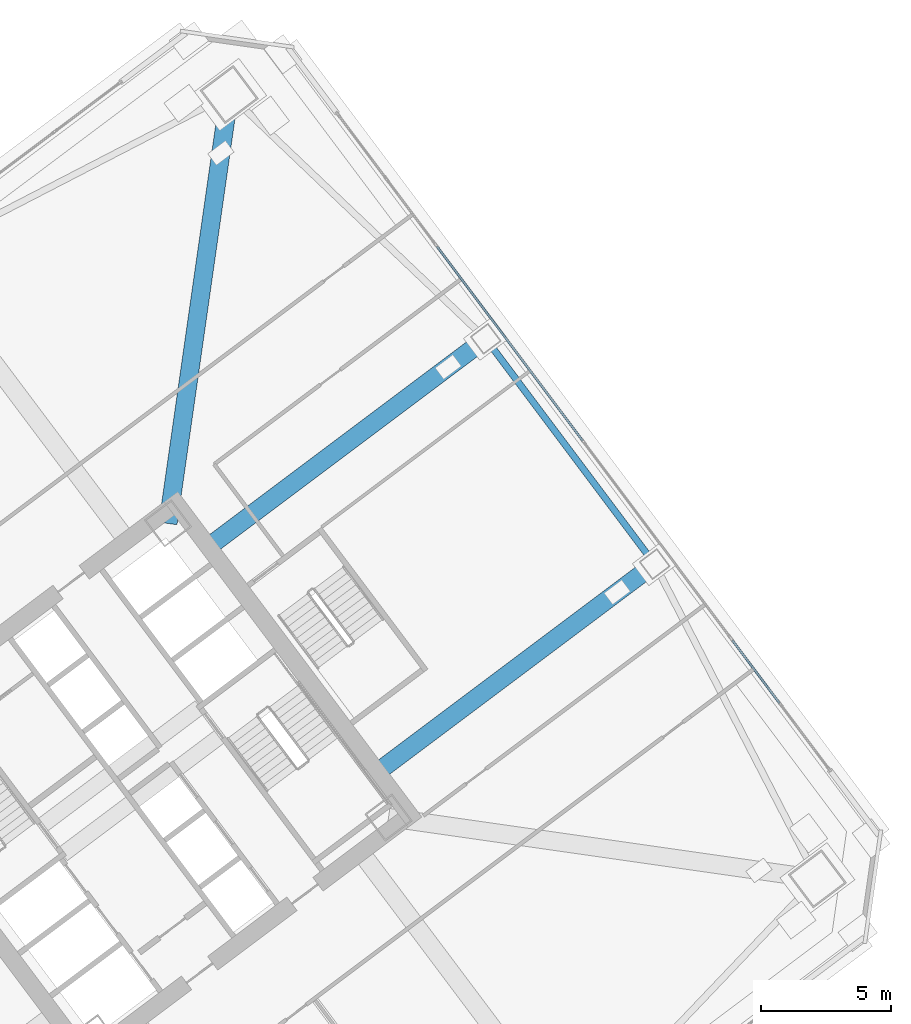
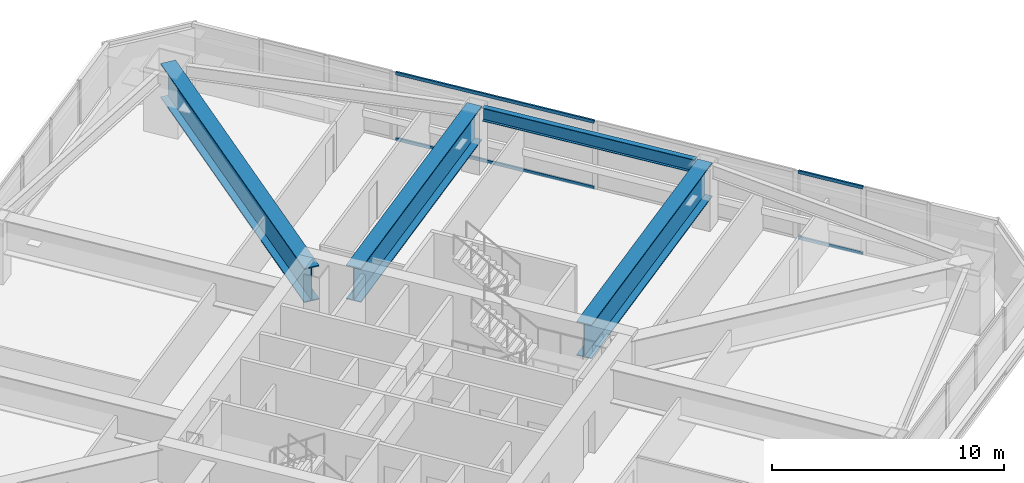
# One storey, part 33 of 48: 4 beams, 4 members, 2 elements without a shape of their own.
"""IFC4 building model written with IfcOpenShell, lengths in metres."""

from ifc_helpers import new_model, si_unit, direction, frame, origin, origin_2d, place, context, subcontext, project, spatial, hollow_rectangle, i_section, extrude, material, material_profile, profile_set, type_object, element, aggregate, save


model = new_model("IFC4")

# Units and contexts
model_context = context("Model", 3, precision=1e-05, world=origin(), true_north=direction((0.0, 1.0)))
body_context = subcontext(model_context, "Body", "Model", "MODEL_VIEW")
ifc_project = project(units=[si_unit("LENGTHUNIT", "METRE"), si_unit("AREAUNIT", "SQUARE_METRE"), si_unit("VOLUMEUNIT", "CUBIC_METRE"), si_unit("PLANEANGLEUNIT", "RADIAN"), si_unit("MASSUNIT", "GRAM", prefix="KILO")], contexts=[model_context])

# Site, building, storey
site_placement = place(None, origin())
site = spatial("IfcSite", under=ifc_project, at=site_placement, CompositionType="ELEMENT")
building_placement = place(site_placement, origin())
building = spatial("IfcBuilding", under=site, at=building_placement, Name="Tashvorn Skyway Center", CompositionType="ELEMENT")
storey_placement = place(building_placement, frame((0.0, 0.0, 63.64990234375)))
storey = spatial("IfcBuildingStorey", under=building, at=storey_placement, Name="L16", CompositionType="ELEMENT", Elevation=63.64990234375)

# Beams
ifc_material_1 = material(Name="Steel ASTM A572 Grade 50", Category="steel")
ifc_material_profile_1 = material_profile(ifc_material_1, i_section(OverallWidth=0.699951171875, OverallDepth=1.800048828125, WebThickness=0.031982421875, FlangeThickness=0.050048828125, at=origin_2d()), Name="PG1800x700")
ifc_profile_set_1 = profile_set([ifc_material_profile_1], Name="Steel ASTM A572 Grade 50")
beam_type_1 = type_object("IfcBeamType", Name="BM-BEAM-PG1800x700", PredefinedType="BEAM", material=ifc_profile_set_1)
beam_1_placement = place(storey_placement, frame((117.760009765625, 58.320068359375, 2.4501953125), z_axis=(-0.141427526976, -0.989948612107, 0.0), x_axis=(0.989948612107, -0.141427526976, 0.0)))
element("IfcBeam", 1, at=beam_1_placement, inside=storey, type_object=beam_type_1, Name="Tower 2 L16 Setback Transfer Girder MC-NE", PredefinedType="BEAM", context=body_context, shape_type="SweptSolid", body=[
    extrude(i_section(OverallWidth=0.699951171875, OverallDepth=1.800048828125, WebThickness=0.031982421875, FlangeThickness=0.050048828125, at=origin_2d()), origin(), (0.0, 0.0, 1.0), 16.616943359375),
])
for number, where, z_axis, x_axis, name in (
    (2, (134.080078125, 40.31005859375, 2.4501953125), (-0.799993376728, -0.600008830928, 0.0), (0.600008830928, -0.799993376728, 0.0), "Tower 2 L16 Setback Transfer Girder FC-E1"),
    (3, (127.60009765625, 48.949951171875, 2.4501953125), (-0.800008830845, -0.599988225359, 0.0), (0.599988225359, -0.800008830845, 0.0), "Tower 2 L16 Setback Transfer Girder FC-E2"),
):
    element("IfcBeam", number, at=place(storey_placement, frame(where, z_axis=z_axis, x_axis=x_axis)), inside=storey, type_object=beam_type_1, Name=name, PredefinedType="BEAM", context=body_context, shape_type="SweptSolid", body=[
        extrude(i_section(OverallWidth=0.699951171875, OverallDepth=1.800048828125, WebThickness=0.031982421875, FlangeThickness=0.050048828125, at=origin_2d()), origin(), (0.0, 0.0, 1.0), 13.27001953125),
    ])
ifc_material_2 = material(Name="Steel ASTM A992 Grade 50", Category="steel")
ifc_material_profile_2 = material_profile(ifc_material_2, i_section(OverallWidth=0.256103515625, OverallDepth=0.693115234375, WebThickness=0.014404296875, FlangeThickness=0.023681640625, at=origin_2d()), Name="W27X114")
ifc_profile_set_2 = profile_set([ifc_material_profile_2], Name="Steel ASTM A992 Grade 50")
beam_type_2 = type_object("IfcBeamType", Name="BM-SPANDREL-W27X114", PredefinedType="SPANDREL", material=ifc_profile_set_2)
beam_2_placement = place(storey_placement, frame((133.827880859375, 40.64599609375, 3.003662109375), z_axis=(-0.599988234018, 0.800008824351, 0.0), x_axis=(-0.800008824351, -0.599988234018, 0.0)))
element("IfcBeam", 4, at=beam_2_placement, inside=storey, type_object=beam_type_2, Name="Tower 2 L16 Spandrel Beam 05", PredefinedType="SPANDREL", context=body_context, shape_type="SweptSolid", body=[
    extrude(i_section(OverallWidth=0.256103515625, OverallDepth=0.693115234375, WebThickness=0.014404296875, FlangeThickness=0.023681640625, at=origin_2d()), origin(), (0.0, 0.0, 1.0), 9.9599609375),
])

# Curtain wall, members
ifc_material_3 = material(Name="Thermally broken bronze-anodized aluminium 6063-T6", Category="aluminium")
curtain_wall_type = type_object("IfcCurtainWallType", Name="CW-CW-Z1", PredefinedType="NOTDEFINED", material=ifc_material_3)
curtain_wall_1_placement = place(storey_placement, origin())
curtain_wall_1 = element("IfcCurtainWall", 5, at=curtain_wall_1_placement, inside=storey, type_object=curtain_wall_type, Name="Tower 2 L16 East Unitised Curtain Wall Glazing Group 2", PredefinedType="NOTDEFINED")
ifc_material_profile_3 = material_profile(ifc_material_3, hollow_rectangle(XDim=0.0849609375, YDim=0.1650390625, WallThickness=0.0048828125, at=origin_2d()), Name="ALU-TRAN-85x165")
ifc_profile_set_3 = profile_set([ifc_material_profile_3], Name="Thermally broken bronze-anodized aluminium 6063-T6")
member_type = type_object("IfcMemberType", Name="CWT-CW-Z1", PredefinedType="USERDEFINED", material=ifc_profile_set_3)
member_1_placement = place(storey_placement, frame((125.73095703125, 52.491943359375, 0.04248046875), z_axis=(0.600012583752, -0.799990562031, 0.0), x_axis=(0.799990562031, 0.600012583752, 0.0)))
member_1 = element("IfcMember", 6, at=member_1_placement, type_object=member_type, Name="CW-Z1 transom 1.1", ObjectType="TRANSOM", PredefinedType="USERDEFINED", context=body_context, shape_type="SweptSolid", body=[
    extrude(hollow_rectangle(XDim=0.0849609375, YDim=0.1650390625, WallThickness=0.0048828125, at=origin_2d()), origin(), (0.0, 0.0, 1.0), 9.3125),
])
member_2_placement = place(storey_placement, frame((125.73095703125, 52.491943359375, 3.507568359375), z_axis=(0.600012583752, -0.799990562031, 0.0), x_axis=(0.799990562031, 0.600012583752, 0.0)))
member_2 = element("IfcMember", 7, at=member_2_placement, type_object=member_type, Name="CW-Z1 transom 1.2", ObjectType="TRANSOM", PredefinedType="USERDEFINED", context=body_context, shape_type="SweptSolid", body=[
    extrude(hollow_rectangle(XDim=0.0849609375, YDim=0.1650390625, WallThickness=0.0048828125, at=origin_2d()), origin(), (0.0, 0.0, 1.0), 9.3125),
])
aggregate(curtain_wall_1, [member_1, member_2])

curtain_wall_2_placement = place(storey_placement, origin())
curtain_wall_2 = element("IfcCurtainWall", 8, at=curtain_wall_2_placement, inside=storey, type_object=curtain_wall_type, Name="Tower 2 L16 East Unitised Curtain Wall Glazing Group 3", PredefinedType="NOTDEFINED")
member_3_placement = place(storey_placement, frame((137.05908203125, 37.387939453125, 0.04248046875), z_axis=(0.600012938206, -0.799990296182, 0.0), x_axis=(0.799990296182, 0.600012938206, 0.0)))
member_3 = element("IfcMember", 9, at=member_3_placement, type_object=member_type, Name="CW-Z1 transom 1.1", ObjectType="TRANSOM", PredefinedType="USERDEFINED", context=body_context, shape_type="SweptSolid", body=[
    extrude(hollow_rectangle(XDim=0.0849609375, YDim=0.1650390625, WallThickness=0.0048828125, at=origin_2d()), origin(), (0.0, 0.0, 1.0), 3.01904296875),
])
member_4_placement = place(storey_placement, frame((137.05908203125, 37.387939453125, 3.507568359375), z_axis=(0.600012938206, -0.799990296182, 0.0), x_axis=(0.799990296182, 0.600012938206, 0.0)))
member_4 = element("IfcMember", 10, at=member_4_placement, type_object=member_type, Name="CW-Z1 transom 1.2", ObjectType="TRANSOM", PredefinedType="USERDEFINED", context=body_context, shape_type="SweptSolid", body=[
    extrude(hollow_rectangle(XDim=0.0849609375, YDim=0.1650390625, WallThickness=0.0048828125, at=origin_2d()), origin(), (0.0, 0.0, 1.0), 3.01904296875),
])
aggregate(curtain_wall_2, [member_3, member_4])

save(model, "model.ifc")
